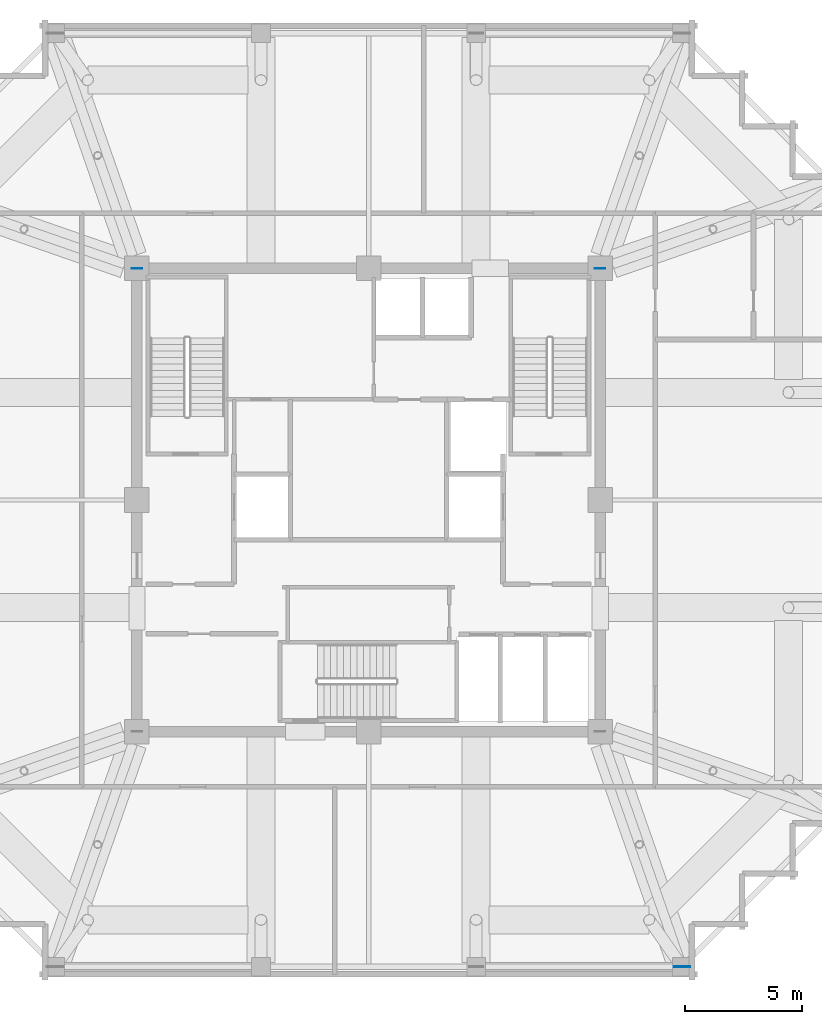
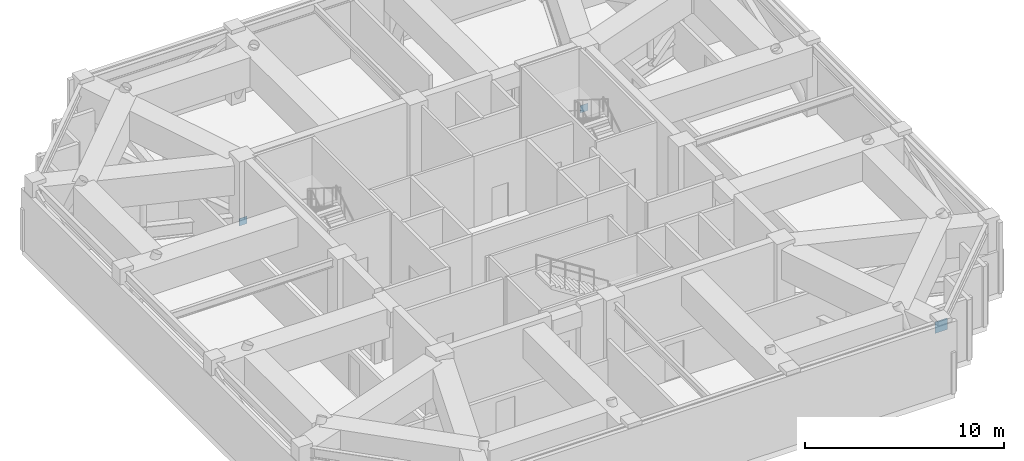
# One storey, part 9 of 14: 3 plates.
"""IFC4 building model written with IfcOpenShell, lengths in metres."""

from ifc_helpers import new_model, si_unit, direction, frame, origin, origin_2d, place, context, subcontext, project, spatial, rectangle, extrude, material, layer, layer_set, type_object, element, save


model = new_model("IFC4")

# Units and contexts
model_context = context("Model", 3, precision=1e-05, world=origin(), true_north=direction((0.0, 1.0)))
body_context = subcontext(model_context, "Body", "Model", "MODEL_VIEW")
ifc_project = project(units=[si_unit("LENGTHUNIT", "METRE"), si_unit("AREAUNIT", "SQUARE_METRE"), si_unit("VOLUMEUNIT", "CUBIC_METRE"), si_unit("PLANEANGLEUNIT", "RADIAN"), si_unit("MASSUNIT", "GRAM", prefix="KILO")], contexts=[model_context])

# Site, building, storey
site_placement = place(None, origin())
site = spatial("IfcSite", under=ifc_project, at=site_placement, CompositionType="ELEMENT")
building_placement = place(site_placement, origin())
building = spatial("IfcBuilding", under=site, at=building_placement, Name="Kolvaren Belvedere", CompositionType="ELEMENT")
storey_placement = place(building_placement, frame((0.0, 0.0, 232.800048828125)))
storey = spatial("IfcBuildingStorey", under=building, at=storey_placement, Name="L68", CompositionType="ELEMENT", Elevation=232.800048828125)

# Plates
ifc_material_1 = material(Name="Structural steel ASTM A572 Grade 50", Category="steel")
ifc_layer_1 = layer(ifc_material_1, 0.02490234375)
ifc_layer_set_1 = layer_set([ifc_layer_1], Name="Structural steel ASTM A572 Grade 50")
plate_type_1 = type_object("IfcPlateType", Name="PL-GUSSET-25", PredefinedType="USERDEFINED", material=ifc_layer_set_1)
for number, where, z_axis, x_axis, name in (
    (1, (9.89990234375, 9.89990234375, 0.2548828125), (0.0, 0.0, 1.0), (1.0, 0.0, 0.0), "L68 Outrigger Node Cap Gusset OC-CC3"),
    (2, (-9.89990234375, 9.89990234375, 0.2548828125), (0.0, 0.0, 1.0), (1.0, 0.0, 0.0), "L68 Outrigger Node Cap Gusset OC-CC4"),
):
    element("IfcPlate", number, at=place(storey_placement, frame(where, z_axis=z_axis, x_axis=x_axis)), inside=storey, type_object=plate_type_1, Name=name, ObjectType="GUSSET PLATE", PredefinedType="USERDEFINED", context=body_context, shape_type="SweptSolid", body=[
        extrude(rectangle(XDim=0.449951171875, YDim=0.02490234375, at=origin_2d()), origin(), (0.0, 0.0, 1.0), 0.449951171875),
    ])
ifc_material_2 = material(Name="Structural steel ASTM A572 Grade 50", Category="steel")
ifc_layer_2 = layer(ifc_material_2, 0.0400390625)
ifc_layer_set_2 = layer_set([ifc_layer_2], Name="Structural steel ASTM A572 Grade 50")
plate_type_2 = type_object("IfcPlateType", Name="PL-GUSSET-40", PredefinedType="USERDEFINED", material=ifc_layer_set_2)
plate_placement = place(storey_placement, frame((13.39990234375, -19.949951171875, 3.64990234375), z_axis=(0.0, 0.0, 1.0), x_axis=(1.0, 0.0, 0.0)))
element("IfcPlate", 3, at=plate_placement, inside=storey, type_object=plate_type_2, Name="L68 Outrigger Truss Node Gusset ON-3", ObjectType="GUSSET PLATE", PredefinedType="USERDEFINED", context=body_context, shape_type="SweptSolid", body=[
    extrude(rectangle(XDim=0.699951171875, YDim=0.0400390625, at=origin_2d()), origin(), (0.0, 0.0, 1.0), 0.699951171875),
])

save(model, "model.ifc")
